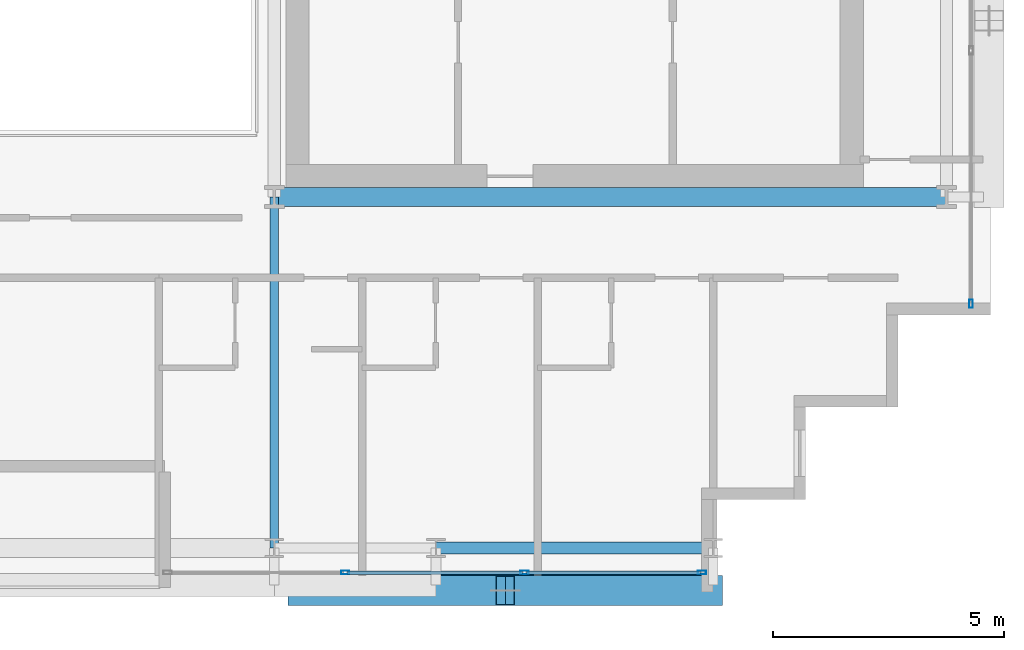
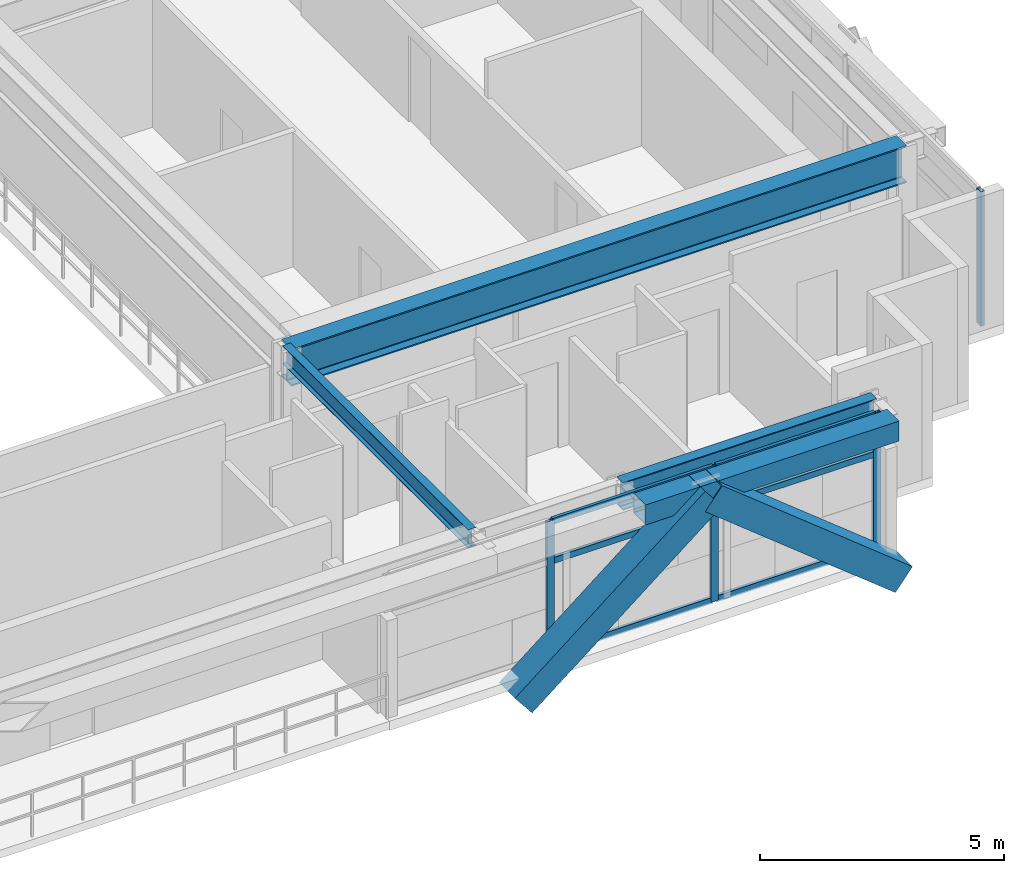
# One storey, part 10 of 31: 12 members, 4 beams, 2 elements without a shape of their own.
"""IFC4 building model written with IfcOpenShell, lengths in metres."""

from ifc_helpers import new_model, si_unit, direction, frame, origin, origin_2d, place, context, subcontext, project, spatial, hollow_rectangle, i_section, extrude, source, transform, mapped, material, layer, layer_set, material_profile, profile_set, type_object, element, aggregate, save


model = new_model("IFC4")

# Units and contexts
model_context = context("Model", 3, precision=1e-05, world=origin(), true_north=direction((0.0, 1.0)))
body_context = subcontext(model_context, "Body", "Model", "MODEL_VIEW")
ifc_project = project(units=[si_unit("LENGTHUNIT", "METRE"), si_unit("AREAUNIT", "SQUARE_METRE"), si_unit("VOLUMEUNIT", "CUBIC_METRE"), si_unit("PLANEANGLEUNIT", "RADIAN"), si_unit("MASSUNIT", "GRAM", prefix="KILO")], contexts=[model_context])

# Site, building, storey
site_placement = place(None, origin())
site = spatial("IfcSite", under=ifc_project, at=site_placement, CompositionType="ELEMENT")
building_placement = place(site_placement, origin())
building = spatial("IfcBuilding", under=site, at=building_placement, Name="Ocotamira Hotel", CompositionType="ELEMENT")
storey_placement = place(building_placement, frame((0.0, 0.0, 210.0)))
storey = spatial("IfcBuildingStorey", under=building, at=storey_placement, Name="L53", CompositionType="ELEMENT", Elevation=210.0)

# Beams
ifc_material_1 = material(Name="Steel ASTM A992 Grade 50", Category="steel")
ifc_material_profile_1 = material_profile(ifc_material_1, i_section(OverallWidth=0.41796875, OverallDepth=0.927001953125, WebThickness=0.019287109375, FlangeThickness=0.031982421875, FilletRadius=0.02392578125, at=origin_2d()), Name="W36X231")
ifc_profile_set_1 = profile_set([ifc_material_profile_1], Name="Steel ASTM A992 Grade 50")
beam_type_1 = type_object("IfcBeamType", Name="BM-GIRD-W36X231", PredefinedType="BEAM", material=ifc_profile_set_1)
shared_shape_1 = source(origin(), body_context, "Body", "SweptSolid", [
    extrude(i_section(OverallWidth=0.41796875, OverallDepth=0.927001953125, WebThickness=0.019287109375, FlangeThickness=0.031982421875, FilletRadius=0.02392578125, at=origin_2d()), origin(), (0.0, 0.0, 1.0), 14.550048828125),
])
beam_1_placement = place(storey_placement, frame((40.5, 14.550048828125, 2.906494140625), z_axis=(1.0, 0.0, 0.0), x_axis=(0.0, 1.0, 0.0)))
element("IfcBeam", 1, at=beam_1_placement, inside=storey, type_object=beam_type_1, Name="L53 Girder Y14.55 X40.5-55.05", PredefinedType="BEAM", context=body_context, shape_type="MappedRepresentation", body=[
    mapped(shared_shape_1, transform((0.0, 0.0, 0.0), scale=1.0)),
])
ifc_material_profile_2 = material_profile(ifc_material_1, i_section(OverallWidth=0.256103515625, OverallDepth=0.693115234375, WebThickness=0.014404296875, FlangeThickness=0.023681640625, FilletRadius=0.01611328125, at=origin_2d()), Name="W27X114")
ifc_profile_set_2 = profile_set([ifc_material_profile_2], Name="Steel ASTM A992 Grade 50")
beam_type_2 = type_object("IfcBeamType", Name="BM-PRIM-W27X114", PredefinedType="BEAM", material=ifc_profile_set_2)
shared_shape_2 = source(origin(), body_context, "Body", "SweptSolid", [
    extrude(i_section(OverallWidth=0.256103515625, OverallDepth=0.693115234375, WebThickness=0.014404296875, FlangeThickness=0.023681640625, FilletRadius=0.01611328125, at=origin_2d()), origin(), (0.0, 0.0, 1.0), 6.0),
])
beam_2_placement = place(storey_placement, frame((44.0, 6.949951171875, 3.0234375), z_axis=(1.0, 0.0, 0.0), x_axis=(0.0, 1.0, 0.0)))
element("IfcBeam", 2, at=beam_2_placement, inside=storey, type_object=beam_type_2, Name="L53 Girder Y6.95 X44-50", PredefinedType="BEAM", context=body_context, shape_type="MappedRepresentation", body=[
    mapped(shared_shape_2, transform((0.0, 0.0, 0.0), scale=1.0)),
])
ifc_material_2 = material(Name="Steel ASTM A500 Grade C", Category="steel")
ifc_material_profile_3 = material_profile(ifc_material_2, hollow_rectangle(XDim=0.5, YDim=0.5, WallThickness=0.02001953125, at=origin_2d()), Name="HSS500X500X20")
ifc_profile_set_3 = profile_set([ifc_material_profile_3], Name="Steel ASTM A500 Grade C")
beam_type_3 = type_object("IfcBeamType", Name="BM-SPAN-HSS500", PredefinedType="USERDEFINED", material=ifc_profile_set_3)
shared_shape_3 = source(origin(), body_context, "Body", "SweptSolid", [
    extrude(hollow_rectangle(XDim=0.5, YDim=0.5, WallThickness=0.02001953125, at=origin_2d()), origin(), (0.0, 0.0, 1.0), 6.0),
])
beam_3_placement = place(storey_placement, frame((44.0, 6.14990234375, 3.1201171875), z_axis=(1.0, 0.0, 0.0), x_axis=(0.0, 1.0, 0.0)))
element("IfcBeam", 3, at=beam_3_placement, inside=storey, type_object=beam_type_3, Name="L53 Edge Spandrel S X44-50", ObjectType="SPANDREL", PredefinedType="USERDEFINED", context=body_context, shape_type="MappedRepresentation", body=[
    mapped(shared_shape_3, transform((0.0, 0.0, 0.0), scale=1.0)),
])
ifc_material_profile_4 = material_profile(ifc_material_1, i_section(OverallWidth=0.18994140625, OverallDepth=0.45703125, WebThickness=0.009033203125, FlangeThickness=0.014404296875, FilletRadius=0.010009765625, at=origin_2d()), Name="W18X50")
ifc_profile_set_4 = profile_set([ifc_material_profile_4], Name="Steel ASTM A992 Grade 50")
beam_type_4 = type_object("IfcBeamType", Name="BM-SEC-W18X50", PredefinedType="JOIST", material=ifc_profile_set_4)
shared_shape_4 = source(origin(), body_context, "Body", "SweptSolid", [
    extrude(i_section(OverallWidth=0.18994140625, OverallDepth=0.45703125, WebThickness=0.009033203125, FlangeThickness=0.014404296875, FilletRadius=0.010009765625, at=origin_2d()), origin(), (0.0, 0.0, 1.0), 7.60009765625),
])
beam_4_placement = place(storey_placement, frame((40.5, 6.949951171875, 3.1416015625), z_axis=(0.0, 1.0, 0.0), x_axis=(-1.0, 0.0, 0.0)))
element("IfcBeam", 4, at=beam_4_placement, inside=storey, type_object=beam_type_4, Name="L53 Beam X40.5 Y6.95-14.55", PredefinedType="JOIST", context=body_context, shape_type="MappedRepresentation", body=[
    mapped(shared_shape_4, transform((0.0, 0.0, 0.0), scale=1.0)),
])

# Members
ifc_material_3 = material(Name="Pale-metal coated steel ASTM A913 Grade 65", Category="steel")
ifc_material_profile_5 = material_profile(ifc_material_3, hollow_rectangle(XDim=0.64990234375, YDim=0.64990234375, WallThickness=0.02197265625, at=origin_2d()), Name="BOX650X650X22")
ifc_profile_set_5 = profile_set([ifc_material_profile_5], Name="Pale-metal coated steel ASTM A913 Grade 65")
member_type_1 = type_object("IfcMemberType", Name="MEM-EXO-BOX650", PredefinedType="BRACE", material=ifc_profile_set_5)
shared_shape_5 = source(origin(), body_context, "Body", "SweptSolid", [
    extrude(hollow_rectangle(XDim=0.64990234375, YDim=0.64990234375, WallThickness=0.02197265625, at=origin_2d()), origin(), (0.0, 0.0, 1.0), 5.762939453125),
])
for number, where, z_axis, x_axis, name in (
    (5, (41.0, 6.030029296875, -0.47998046875), (0.780860543151, 0.0, 0.624705380279), (0.0, 1.0, 0.0), "L53 Exoskeleton Diagrid S3.1"),
    (6, (50.0, 6.030029296875, -0.47998046875), (-0.780860543151, 0.0, 0.624705380279), (0.0, -1.0, 0.0), "L53 Exoskeleton Diagrid S3.2"),
):
    element("IfcMember", number, at=place(storey_placement, frame(where, z_axis=z_axis, x_axis=x_axis)), inside=storey, type_object=member_type_1, Name=name, PredefinedType="BRACE", context=body_context, shape_type="MappedRepresentation", body=[
        mapped(shared_shape_5, transform((0.0, 0.0, 0.0), scale=1.0)),
    ])

# Curtain wall, members
ifc_material_4 = material(Name="Anodised pale-metal aluminium and solar glass", Category="aluminium")
ifc_layer = layer(ifc_material_4, 0.199951171875)
ifc_layer_set = layer_set([ifc_layer], Name="Anodised pale-metal aluminium and solar glass")
curtain_wall_type = type_object("IfcCurtainWallType", Name="CW-SYS4-Z3", PredefinedType="NOTDEFINED", material=ifc_layer_set)
curtain_wall_1_placement = place(storey_placement, origin())
curtain_wall_1 = element("IfcCurtainWall", 7, at=curtain_wall_1_placement, inside=storey, type_object=curtain_wall_type, Name="L53 Curtain Wall CW-4 CW-L53-S2", PredefinedType="NOTDEFINED")
ifc_material_5 = material(Name="Anodised pale-metal aluminium 6063-T6", Category="aluminium")
ifc_material_profile_6 = material_profile(ifc_material_5, hollow_rectangle(XDim=0.080078125, YDim=0.179931640625, WallThickness=0.006103515625, at=origin_2d()), Name="HSS180X80X6")
ifc_profile_set_6 = profile_set([ifc_material_profile_6], Name="Anodised pale-metal aluminium 6063-T6")
member_type_2 = type_object("IfcMemberType", Name="CWM-180X75", PredefinedType="MULLION", material=ifc_profile_set_6)
shared_shape_6 = source(origin(), body_context, "Body", "SweptSolid", [
    extrude(hollow_rectangle(XDim=0.080078125, YDim=0.179931640625, WallThickness=0.006103515625, at=origin_2d()), origin(), (0.0, 0.0, 1.0), 3.3701171875),
])
member_1_placement = place(storey_placement, frame((42.033447265625, 6.419921875, 0.0), z_axis=(0.0, 0.0, 1.0), x_axis=(0.0, 1.0, 0.0)))
member_1 = element("IfcMember", 8, at=member_1_placement, type_object=member_type_2, Name="CW-4 mullion 2", PredefinedType="MULLION", context=body_context, shape_type="MappedRepresentation", body=[
    mapped(shared_shape_6, transform((0.0, 0.0, 0.0), scale=1.0)),
])
member_2_placement = place(storey_placement, frame((45.916748046875, 6.419921875, 0.0), z_axis=(0.0, 0.0, 1.0), x_axis=(0.0, 1.0, 0.0)))
member_2 = element("IfcMember", 9, at=member_2_placement, type_object=member_type_2, Name="CW-4 mullion 3", PredefinedType="MULLION", context=body_context, shape_type="MappedRepresentation", body=[
    mapped(shared_shape_6, transform((0.0, 0.0, 0.0), scale=1.0)),
])
member_3_placement = place(storey_placement, frame((49.760009765625, 6.419921875, 0.0), z_axis=(0.0, 0.0, 1.0), x_axis=(0.0, 1.0, 0.0)))
member_3 = element("IfcMember", 10, at=member_3_placement, type_object=member_type_2, Name="CW-4 mullion 4", PredefinedType="MULLION", context=body_context, shape_type="MappedRepresentation", body=[
    mapped(shared_shape_6, transform((0.0, 0.0, 0.0), scale=1.0)),
])

# Curtain wall, member
curtain_wall_2_placement = place(storey_placement, origin())
curtain_wall_2 = element("IfcCurtainWall", 11, at=curtain_wall_2_placement, inside=storey, type_object=curtain_wall_type, Name="L53 Curtain Wall CW-4 CW-L53-E", PredefinedType="NOTDEFINED")
member_4_placement = place(storey_placement, frame((55.580078125, 12.239990234375, 0.0), z_axis=(0.0, 0.0, 1.0), x_axis=(-1.0, 0.0, 0.0)))
member_4 = element("IfcMember", 12, at=member_4_placement, type_object=member_type_2, Name="CW-4 mullion 1", PredefinedType="MULLION", context=body_context, shape_type="MappedRepresentation", body=[
    mapped(shared_shape_6, transform((0.0, 0.0, 0.0), scale=1.0)),
])
aggregate(curtain_wall_2, [member_4])

# Member
ifc_material_profile_7 = material_profile(ifc_material_5, hollow_rectangle(XDim=0.074951171875, YDim=0.14990234375, WallThickness=0.006103515625, at=origin_2d()), Name="HSS150X75X6")
ifc_profile_set_7 = profile_set([ifc_material_profile_7], Name="Anodised pale-metal aluminium 6063-T6")
member_type_3 = type_object("IfcMemberType", Name="CWT-150X75", PredefinedType="USERDEFINED", material=ifc_profile_set_7)
shared_shape_7 = source(origin(), body_context, "Body", "SweptSolid", [
    extrude(hollow_rectangle(XDim=0.074951171875, YDim=0.14990234375, WallThickness=0.006103515625, at=origin_2d()), origin(), (0.0, 0.0, 1.0), 3.76318359375),
])
member_5_placement = place(storey_placement, frame((45.956787109375, 6.419921875, 0.03759765625), z_axis=(1.0, 0.0, 0.0), x_axis=(0.0, 1.0, 0.0)))
member_5 = element("IfcMember", 13, at=member_5_placement, type_object=member_type_3, Name="CW-4 transom 3.1", ObjectType="TRANSOM", PredefinedType="USERDEFINED", context=body_context, shape_type="MappedRepresentation", body=[
    mapped(shared_shape_7, transform((0.0, 0.0, 0.0), scale=1.0)),
])

member_6_placement = place(storey_placement, frame((45.956787109375, 6.419921875, 2.35009765625), z_axis=(1.0, 0.0, 0.0), x_axis=(0.0, 1.0, 0.0)))
member_6 = element("IfcMember", 14, at=member_6_placement, type_object=member_type_3, Name="CW-4 transom 3.2", ObjectType="TRANSOM", PredefinedType="USERDEFINED", context=body_context, shape_type="MappedRepresentation", body=[
    mapped(shared_shape_7, transform((0.0, 0.0, 0.0), scale=1.0)),
])

member_7_placement = place(storey_placement, frame((45.956787109375, 6.419921875, 3.33251953125), z_axis=(1.0, 0.0, 0.0), x_axis=(0.0, 1.0, 0.0)))
member_7 = element("IfcMember", 15, at=member_7_placement, type_object=member_type_3, Name="CW-4 transom 3.3", ObjectType="TRANSOM", PredefinedType="USERDEFINED", context=body_context, shape_type="MappedRepresentation", body=[
    mapped(shared_shape_7, transform((0.0, 0.0, 0.0), scale=1.0)),
])

shared_shape_8 = source(origin(), body_context, "Body", "SweptSolid", [
    extrude(hollow_rectangle(XDim=0.074951171875, YDim=0.14990234375, WallThickness=0.006103515625, at=origin_2d()), origin(), (0.0, 0.0, 1.0), 3.803466796875),
])
member_8_placement = place(storey_placement, frame((42.0732421875, 6.419921875, 0.03759765625), z_axis=(1.0, 0.0, 0.0), x_axis=(0.0, 1.0, 0.0)))
member_8 = element("IfcMember", 16, at=member_8_placement, type_object=member_type_3, Name="CW-4 transom 2.1", ObjectType="TRANSOM", PredefinedType="USERDEFINED", context=body_context, shape_type="MappedRepresentation", body=[
    mapped(shared_shape_8, transform((0.0, 0.0, 0.0), scale=1.0)),
])

member_9_placement = place(storey_placement, frame((42.0732421875, 6.419921875, 2.35009765625), z_axis=(1.0, 0.0, 0.0), x_axis=(0.0, 1.0, 0.0)))
member_9 = element("IfcMember", 17, at=member_9_placement, type_object=member_type_3, Name="CW-4 transom 2.2", ObjectType="TRANSOM", PredefinedType="USERDEFINED", context=body_context, shape_type="MappedRepresentation", body=[
    mapped(shared_shape_8, transform((0.0, 0.0, 0.0), scale=1.0)),
])

member_10_placement = place(storey_placement, frame((42.0732421875, 6.419921875, 3.33251953125), z_axis=(1.0, 0.0, 0.0), x_axis=(0.0, 1.0, 0.0)))
member_10 = element("IfcMember", 18, at=member_10_placement, type_object=member_type_3, Name="CW-4 transom 2.3", ObjectType="TRANSOM", PredefinedType="USERDEFINED", context=body_context, shape_type="MappedRepresentation", body=[
    mapped(shared_shape_8, transform((0.0, 0.0, 0.0), scale=1.0)),
])

aggregate(curtain_wall_1, [member_1, member_2, member_3, member_8, member_9, member_10, member_5, member_6, member_7])

save(model, "model.ifc")
